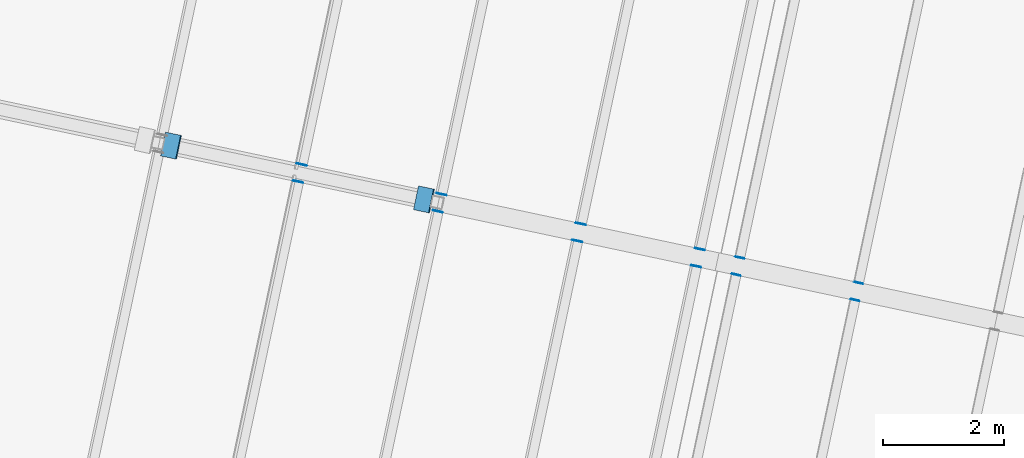
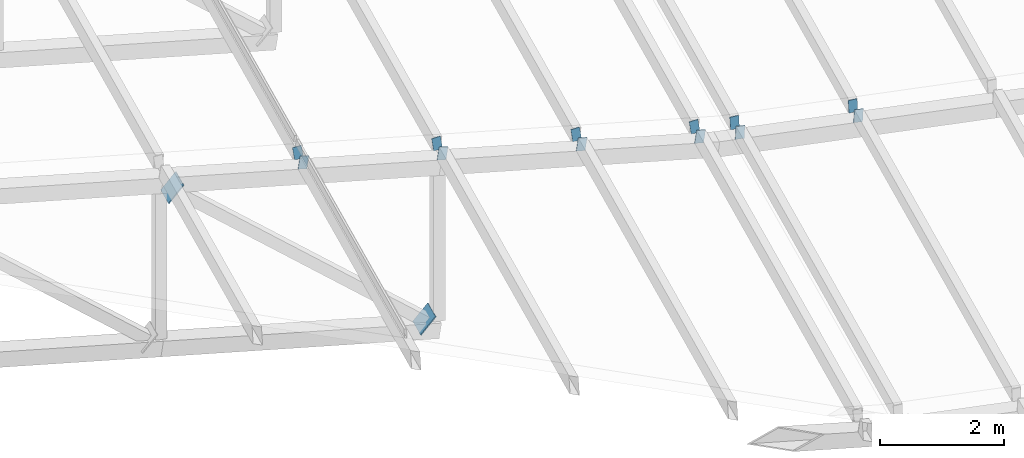
# One storey, part 153 of 196: 14 discrete accessories.
"""IFC4 building model written with IfcOpenShell, lengths in metres."""

import ifcopenshell
import ifcopenshell.guid

model = None  # the IFC model being written
_history = None  # IfcOwnerHistory: only IFC2X3 demands one
_inside = {}  # id of a spatial element -> (the spatial element, [elements in it])
_under = {}  # id of a project, library or spatial element -> (it, [spatial elements below it])
_declared = {}  # id of a project -> (the project, [libraries it declares])
_typed = {}  # id of a type object -> (the type object, [elements of that type])
_made_of = {}  # id of a material, layer set ... -> (it, [elements and type objects made of it])


def new_model(schema):
    """Start an empty IFC model of exactly this schema.

    Asked for "IFC4X3", IfcOpenShell would pick the latest addendum, in which some entities
    have other attributes; the version numbers below select the first issue.
    IFC2X3 requires an IfcOwnerHistory on every rooted entity: one is made here for all.
    """
    global model, _history
    if schema == "IFC4X3":
        model = ifcopenshell.file(schema_version=(4, 3, 0, 0))
    else:
        model = ifcopenshell.file(schema=schema)
    _inside.clear()
    _under.clear()
    _declared.clear()
    _typed.clear()
    _made_of.clear()
    _history = None
    if model.schema == "IFC2X3":
        org = make("IfcOrganization", Name="unknown")
        user = make(
            "IfcPersonAndOrganization",
            ThePerson=make("IfcPerson", FamilyName="unknown"),
            TheOrganization=org,
        )
        app = make(
            "IfcApplication",
            ApplicationDeveloper=org,
            Version="unknown",
            ApplicationFullName="unknown",
            ApplicationIdentifier="unknown",
        )
        _history = make(
            "IfcOwnerHistory",
            OwningUser=user,
            OwningApplication=app,
            ChangeAction="ADDED",
            CreationDate=0,
        )
    return model


def make(cls, **values):
    """One entity of the class cls with the attributes given. An attribute that is None is left unset."""
    return model.create_entity(
        cls, **{name: value for name, value in values.items() if value is not None}
    )


def rooted(cls, **values):
    """An entity with a GlobalId (a new one), such as an element, a storey or a relation."""
    return make(cls, GlobalId=ifcopenshell.guid.new(), OwnerHistory=_history, **values)


def si_unit(unit_type, name, prefix=None):
    """IfcSIUnit, for example si_unit("LENGTHUNIT", "METRE", prefix="MILLI")."""
    return make("IfcSIUnit", UnitType=unit_type, Prefix=prefix, Name=name)


def assignment(units):
    """IfcUnitAssignment: the units of a project."""
    return None if units is None else make("IfcUnitAssignment", Units=units)


def point(xyz):
    """IfcCartesianPoint."""
    return None if xyz is None else make("IfcCartesianPoint", Coordinates=xyz)


def direction(xyz):
    """IfcDirection."""
    return None if xyz is None else make("IfcDirection", DirectionRatios=xyz)


def frame(location, z_axis=None, x_axis=None):
    """IfcAxis2Placement3D, a coordinate frame: its origin and axes. An axis left out is left unset."""
    return make(
        "IfcAxis2Placement3D",
        Location=point(location),
        Axis=direction(z_axis),
        RefDirection=direction(x_axis),
    )


def frame_2d(location, x_axis=None):
    """IfcAxis2Placement2D, a coordinate frame in the plane: its origin and x axis."""
    return make(
        "IfcAxis2Placement2D", Location=point(location), RefDirection=direction(x_axis)
    )


def origin():
    """The frame at (0, 0, 0) with its axes left unset."""
    return frame((0.0, 0.0, 0.0))


def origin_2d():
    """The frame at (0, 0) in the plane with its x axis left unset."""
    return frame_2d((0.0, 0.0))


def place(relative_to, where):
    """IfcLocalPlacement: puts the frame where relative to a parent placement (None: the world)."""
    return make(
        "IfcLocalPlacement", PlacementRelTo=relative_to, RelativePlacement=where
    )


def context(
    kind, dimensions, precision=None, world=None, true_north=None, identifier=None
):
    """IfcGeometricRepresentationContext, for example the 3D "Model" context."""
    return make(
        "IfcGeometricRepresentationContext",
        ContextIdentifier=identifier,
        ContextType=kind,
        CoordinateSpaceDimension=dimensions,
        Precision=precision,
        WorldCoordinateSystem=world,
        TrueNorth=true_north,
    )


def subcontext(parent, identifier, kind, view, scale=None):
    """IfcGeometricRepresentationSubContext, for example "Body" below "Model"."""
    return make(
        "IfcGeometricRepresentationSubContext",
        ContextIdentifier=identifier,
        ContextType=kind,
        ParentContext=parent,
        TargetScale=scale,
        TargetView=view,
    )


def project(units=None, contexts=None):
    """IfcProject with its units and contexts."""
    return rooted(
        "IfcProject",
        Name="project",
        RepresentationContexts=contexts,
        UnitsInContext=assignment(units),
    )


def spatial(cls, under=None, at=None, **own):
    """A site, building, storey or space (cls), placed at a placement, below another one or the project."""
    s = rooted(cls, ObjectPlacement=at, **own)
    if under is not None:
        _under.setdefault(under.id(), (under, []))[1].append(s)
    return s


def profile(cls, at=None, kind="AREA", **sizes):
    """A parametric profile (cls). Its sizes go by their IFC names, for example OverallWidth=200.0."""
    return make(cls, ProfileType=kind, Position=at, **sizes)


def rectangle(**sizes):
    """IfcRectangleProfileDef."""
    return profile("IfcRectangleProfileDef", **sizes)


def extrude(swept, where, along, depth):
    """IfcExtrudedAreaSolid: the profile swept, set in the frame where, extruded along a direction by depth."""
    return make(
        "IfcExtrudedAreaSolid",
        SweptArea=swept,
        Position=where,
        ExtrudedDirection=direction(along),
        Depth=depth,
    )


def shape(context_of_items, identifier, shape_type, items):
    """IfcShapeRepresentation: the items that make up one representation, for example the "Body"."""
    return make(
        "IfcShapeRepresentation",
        ContextOfItems=context_of_items,
        RepresentationIdentifier=identifier,
        RepresentationType=shape_type,
        Items=items,
    )


def material(Name=None, Category=None):
    """IfcMaterial."""
    return make("IfcMaterial", Name=Name, Category=Category)


def layer(
    of_material, thickness, ventilated=None, Name=None, Category=None, Priority=None
):
    """IfcMaterialLayer: one layer of a wall or slab, of a material (None: an air gap)."""
    return make(
        "IfcMaterialLayer",
        Material=of_material,
        LayerThickness=thickness,
        IsVentilated=ventilated,
        Name=Name,
        Category=Category,
        Priority=Priority,
    )


def layer_set(layers, Name=None):
    """IfcMaterialLayerSet."""
    return make("IfcMaterialLayerSet", MaterialLayers=layers, LayerSetName=Name)


def made_of(thing, what):
    """Note that an element or type object is made of a material, layer set ...; save() writes the relation."""
    if what is not None:
        _made_of.setdefault(what.id(), (what, []))[1].append(thing)
    return thing


def type_object(cls, material=None, **own):
    """A type object (cls), such as IfcWallType, which elements share."""
    return made_of(rooted(cls, **own), material)


def element(
    cls,
    number,
    at=None,
    inside=None,
    cuts=None,
    type_object=None,
    material=None,
    context=None,
    identifier="Body",
    shape_type=None,
    held_by="IfcProductDefinitionShape",
    body=None,
    shapes=None,
    **own,
):
    """One element of the class cls, such as IfcWall. Its Tag is "e" and its number.

    at: its placement. inside: the storey or other place that contains it. cuts: it is an
    opening in that element (IfcRelVoidsElement). A single representation is given by context,
    identifier, shape_type and body (its items); several are given by shapes. held_by: the class
    of the entity that holds the representations. save() writes the other relations.
    """
    e = rooted(cls, Tag="e%d" % number, ObjectPlacement=at, **own)
    if body is not None:
        shapes = [shape(context, identifier, shape_type, body)]
    if shapes is not None:
        e.Representation = make(held_by, Representations=shapes)
    if inside is not None:
        _inside.setdefault(inside.id(), (inside, []))[1].append(e)
    if cuts is not None:
        rooted(
            "IfcRelVoidsElement", RelatingBuildingElement=cuts, RelatedOpeningElement=e
        )
    if type_object is not None:
        _typed.setdefault(type_object.id(), (type_object, []))[1].append(e)
    return made_of(e, material)


def aggregate(whole, parts):
    """IfcRelAggregates: a whole, such as a stair, and the parts it consists of."""
    return rooted("IfcRelAggregates", RelatingObject=whole, RelatedObjects=parts)


def save(model, path):
    """Write the relations noted so far, then the file.

    IfcRelAggregates (storeys below a building ...), IfcRelContainedInSpatialStructure (elements
    in a storey), IfcRelDefinesByType, IfcRelAssociatesMaterial and IfcRelDeclares: one each for
    every whole, place, type object, material and project.
    """
    for whole, parts in _under.values():
        aggregate(whole, parts)
    for where, things in _inside.values():
        rooted(
            "IfcRelContainedInSpatialStructure",
            RelatedElements=things,
            RelatingStructure=where,
        )
    for kind, things in _typed.values():
        rooted("IfcRelDefinesByType", RelatedObjects=things, RelatingType=kind)
    for what, things in _made_of.values():
        rooted("IfcRelAssociatesMaterial", RelatedObjects=things, RelatingMaterial=what)
    for by, libraries in _declared.values():
        rooted("IfcRelDeclares", RelatingContext=by, RelatedDefinitions=libraries)
    model.write(path)


model = new_model("IFC4")

# Units and contexts
model_context = context("Model", 3, precision=1e-05, world=origin(), true_north=direction((0.0, 1.0)))
body_context = subcontext(model_context, "Body", "Model", "MODEL_VIEW")
ifc_project = project(units=[si_unit("LENGTHUNIT", "METRE"), si_unit("AREAUNIT", "SQUARE_METRE"), si_unit("VOLUMEUNIT", "CUBIC_METRE"), si_unit("PLANEANGLEUNIT", "RADIAN"), si_unit("MASSUNIT", "GRAM", prefix="KILO")], contexts=[model_context])

# Site, building, storey
site_placement = place(None, origin())
site = spatial("IfcSite", under=ifc_project, at=site_placement, CompositionType="ELEMENT")
building_placement = place(site_placement, origin())
building = spatial("IfcBuilding", under=site, at=building_placement, Name="Okhra Congress Centre", CompositionType="ELEMENT")
storey_placement = place(building_placement, frame((0.0, 0.0, 12.0)))
storey = spatial("IfcBuildingStorey", under=building, at=storey_placement, Name="L02", CompositionType="ELEMENT", Elevation=12.0)

# Discrete accessories
ifc_material = material(Name="Steel S355J2", Category="steel")
ifc_layer_1 = layer(ifc_material, 0.02001953125)
ifc_layer_set_1 = layer_set([ifc_layer_1], Name="Brace end connection plate 20 mm S355")
discrete_accessory_type_1 = type_object("IfcDiscreteAccessoryType", Name="Brace end connection plate 20 mm S355", PredefinedType="BRACKET", material=ifc_layer_set_1)
for number, where, z_axis, x_axis, name in (
    (1, (212.90234375, 110.30078125, 4.076904296875), (-0.756491435081, 0.158619171872, 0.634476687487), (-0.205214844297, -0.978716949726, 0.0), "Brace end connection plate"),
    (2, (217.052490234375, 109.418701171875, 0.591796875), (0.756491435081, -0.158619171872, -0.634476687487), (0.205214844297, 0.978716949726, 0.0), "Brace end connection plate"),
):
    element("IfcDiscreteAccessory", number, at=place(storey_placement, frame(where, z_axis=z_axis, x_axis=x_axis)), inside=storey, type_object=discrete_accessory_type_1, Name=name, PredefinedType="BRACKET", context=body_context, shape_type="SweptSolid", body=[
        extrude(rectangle(XDim=0.39990234375, YDim=0.39990234375, at=origin_2d()), origin(), (0.0, 0.0, 1.0), 0.02001953125),
    ])
ifc_layer_2 = layer(ifc_material, 0.011962890625)
ifc_layer_set_2 = layer_set([ifc_layer_2], Name="Hollow section end cap 12 mm S355")
discrete_accessory_type_2 = type_object("IfcDiscreteAccessoryType", Name="Hollow section end cap 12 mm S355", PredefinedType="BRACKET", material=ifc_layer_set_2)
for number, where, z_axis, x_axis, name in (
    (3, (214.983642578125, 109.705078125, 4.206787109375), (0.203954254112, 0.978980419738, 0.0), (-0.969453049589, 0.201969385331, 0.13917310096), "Hollow section end cap"),
    (4, (217.2822265625, 109.216552734375, 3.87646484375), (0.223376156329, 0.974732318528, 0.0), (-0.965246290609, 0.221202274931, 0.13917310096), "Hollow section end cap"),
    (5, (219.5810546875, 108.72802734375, 3.546142578125), (0.203954254112, 0.978980419738, 0.0), (-0.969453049589, 0.201969385331, 0.13917310096), "Hollow section end cap"),
    (6, (221.537353515625, 108.31201171875, 3.26513671875), (0.203954254112, 0.978980419738, 0.0), (-0.969453049589, 0.201969385331, 0.13917310096), "Hollow section end cap"),
    (7, (222.198486328125, 108.171630859375, 3.199951171875), (0.223376156329, 0.974732318528, 0.0), (-0.973396481762, 0.22307002707, 0.052335956243), "Hollow section end cap"),
    (8, (224.15478515625, 107.755615234375, 3.094970703125), (0.223376156329, 0.974732318528, 0.0), (-0.973396481762, 0.22307002707, 0.052335956243), "Hollow section end cap"),
    (9, (215.046142578125, 109.99853515625, 4.206787109375), (-0.223376156329, -0.974732318528, 0.0), (0.965246290609, -0.221202274931, 0.13917310096), "Hollow section end cap"),
    (10, (217.3447265625, 109.510009765625, 3.87646484375), (-0.203954254112, -0.978980419738, 0.0), (0.969453049589, -0.201969385331, 0.13917310096), "Hollow section end cap"),
    (11, (219.643310546875, 109.021240234375, 3.546142578125), (-0.203954254112, -0.978980419738, 0.0), (0.969453049589, -0.201969385331, 0.13917310096), "Hollow section end cap"),
    (12, (221.599609375, 108.60546875, 3.26513671875), (-0.203954254112, -0.978980419738, 0.0), (0.969453049589, -0.201969385331, 0.13917310096), "Hollow section end cap"),
    (13, (222.260986328125, 108.46484375, 3.199951171875), (-0.203954254112, -0.978980419738, 0.0), (0.977638761096, -0.203674741895, 0.052335956243), "Hollow section end cap"),
    (14, (224.21728515625, 108.049072265625, 3.094970703125), (-0.203954254112, -0.978980419738, 0.0), (0.977638761096, -0.203674741895, 0.052335956243), "Hollow section end cap"),
):
    element("IfcDiscreteAccessory", number, at=place(storey_placement, frame(where, z_axis=z_axis, x_axis=x_axis)), inside=storey, type_object=discrete_accessory_type_2, Name=name, PredefinedType="BRACKET", context=body_context, shape_type="SweptSolid", body=[
        extrude(rectangle(XDim=0.14990234375, YDim=0.25, at=origin_2d()), origin(), (0.0, 0.0, 1.0), 0.011962890625),
    ])

save(model, "model.ifc")
